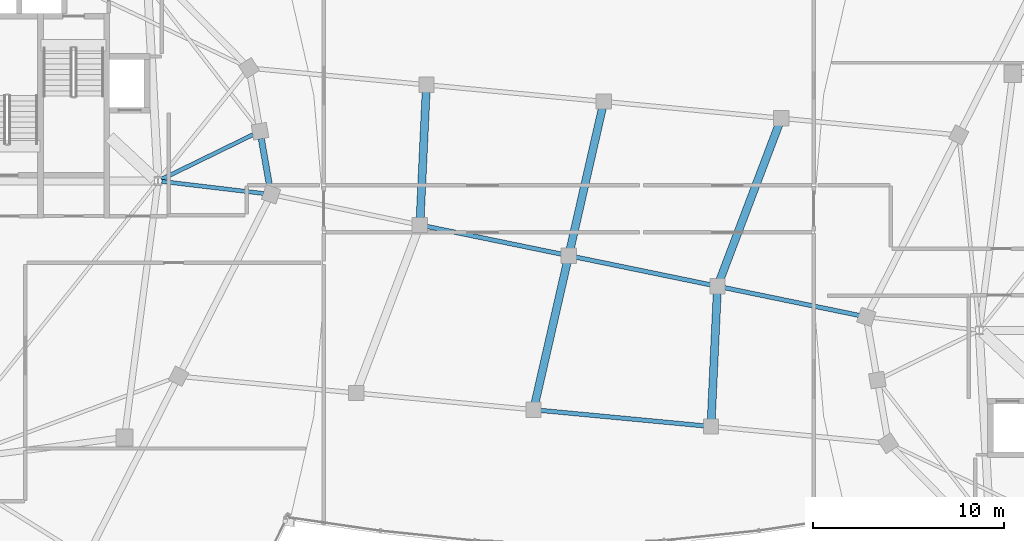
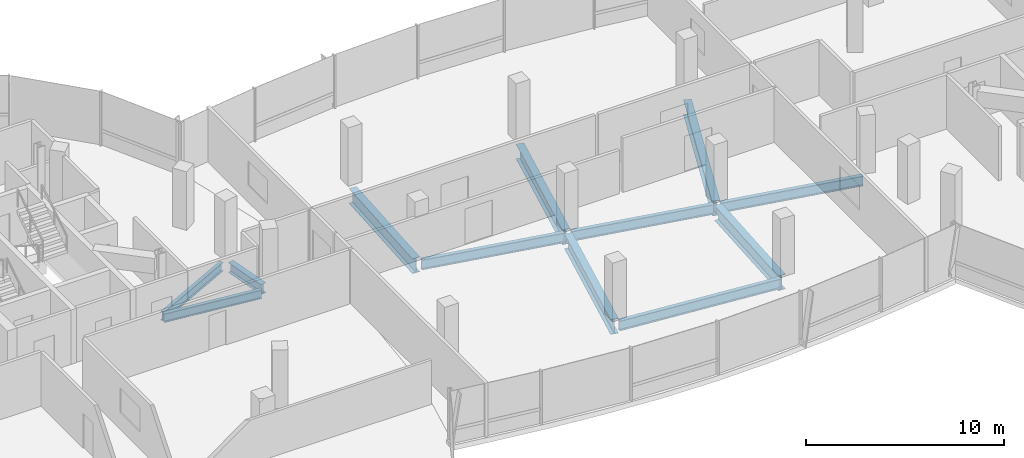
# One storey, part 5 of 25: 12 beams.
"""IFC4 building model written with IfcOpenShell, lengths in metres."""

import ifcopenshell
import ifcopenshell.guid

model = None  # the IFC model being written
_history = None  # IfcOwnerHistory: only IFC2X3 demands one
_inside = {}  # id of a spatial element -> (the spatial element, [elements in it])
_under = {}  # id of a project, library or spatial element -> (it, [spatial elements below it])
_declared = {}  # id of a project -> (the project, [libraries it declares])
_typed = {}  # id of a type object -> (the type object, [elements of that type])
_made_of = {}  # id of a material, layer set ... -> (it, [elements and type objects made of it])


def new_model(schema):
    """Start an empty IFC model of exactly this schema.

    Asked for "IFC4X3", IfcOpenShell would pick the latest addendum, in which some entities
    have other attributes; the version numbers below select the first issue.
    IFC2X3 requires an IfcOwnerHistory on every rooted entity: one is made here for all.
    """
    global model, _history
    if schema == "IFC4X3":
        model = ifcopenshell.file(schema_version=(4, 3, 0, 0))
    else:
        model = ifcopenshell.file(schema=schema)
    _inside.clear()
    _under.clear()
    _declared.clear()
    _typed.clear()
    _made_of.clear()
    _history = None
    if model.schema == "IFC2X3":
        org = make("IfcOrganization", Name="unknown")
        user = make(
            "IfcPersonAndOrganization",
            ThePerson=make("IfcPerson", FamilyName="unknown"),
            TheOrganization=org,
        )
        app = make(
            "IfcApplication",
            ApplicationDeveloper=org,
            Version="unknown",
            ApplicationFullName="unknown",
            ApplicationIdentifier="unknown",
        )
        _history = make(
            "IfcOwnerHistory",
            OwningUser=user,
            OwningApplication=app,
            ChangeAction="ADDED",
            CreationDate=0,
        )
    return model


def make(cls, **values):
    """One entity of the class cls with the attributes given. An attribute that is None is left unset."""
    return model.create_entity(
        cls, **{name: value for name, value in values.items() if value is not None}
    )


def rooted(cls, **values):
    """An entity with a GlobalId (a new one), such as an element, a storey or a relation."""
    return make(cls, GlobalId=ifcopenshell.guid.new(), OwnerHistory=_history, **values)


def si_unit(unit_type, name, prefix=None):
    """IfcSIUnit, for example si_unit("LENGTHUNIT", "METRE", prefix="MILLI")."""
    return make("IfcSIUnit", UnitType=unit_type, Prefix=prefix, Name=name)


def assignment(units):
    """IfcUnitAssignment: the units of a project."""
    return None if units is None else make("IfcUnitAssignment", Units=units)


def point(xyz):
    """IfcCartesianPoint."""
    return None if xyz is None else make("IfcCartesianPoint", Coordinates=xyz)


def direction(xyz):
    """IfcDirection."""
    return None if xyz is None else make("IfcDirection", DirectionRatios=xyz)


def frame(location, z_axis=None, x_axis=None):
    """IfcAxis2Placement3D, a coordinate frame: its origin and axes. An axis left out is left unset."""
    return make(
        "IfcAxis2Placement3D",
        Location=point(location),
        Axis=direction(z_axis),
        RefDirection=direction(x_axis),
    )


def frame_2d(location, x_axis=None):
    """IfcAxis2Placement2D, a coordinate frame in the plane: its origin and x axis."""
    return make(
        "IfcAxis2Placement2D", Location=point(location), RefDirection=direction(x_axis)
    )


def origin():
    """The frame at (0, 0, 0) with its axes left unset."""
    return frame((0.0, 0.0, 0.0))


def origin_2d():
    """The frame at (0, 0) in the plane with its x axis left unset."""
    return frame_2d((0.0, 0.0))


def place(relative_to, where):
    """IfcLocalPlacement: puts the frame where relative to a parent placement (None: the world)."""
    return make(
        "IfcLocalPlacement", PlacementRelTo=relative_to, RelativePlacement=where
    )


def context(
    kind, dimensions, precision=None, world=None, true_north=None, identifier=None
):
    """IfcGeometricRepresentationContext, for example the 3D "Model" context."""
    return make(
        "IfcGeometricRepresentationContext",
        ContextIdentifier=identifier,
        ContextType=kind,
        CoordinateSpaceDimension=dimensions,
        Precision=precision,
        WorldCoordinateSystem=world,
        TrueNorth=true_north,
    )


def subcontext(parent, identifier, kind, view, scale=None):
    """IfcGeometricRepresentationSubContext, for example "Body" below "Model"."""
    return make(
        "IfcGeometricRepresentationSubContext",
        ContextIdentifier=identifier,
        ContextType=kind,
        ParentContext=parent,
        TargetScale=scale,
        TargetView=view,
    )


def project(units=None, contexts=None):
    """IfcProject with its units and contexts."""
    return rooted(
        "IfcProject",
        Name="project",
        RepresentationContexts=contexts,
        UnitsInContext=assignment(units),
    )


def spatial(cls, under=None, at=None, **own):
    """A site, building, storey or space (cls), placed at a placement, below another one or the project."""
    s = rooted(cls, ObjectPlacement=at, **own)
    if under is not None:
        _under.setdefault(under.id(), (under, []))[1].append(s)
    return s


def profile(cls, at=None, kind="AREA", **sizes):
    """A parametric profile (cls). Its sizes go by their IFC names, for example OverallWidth=200.0."""
    return make(cls, ProfileType=kind, Position=at, **sizes)


def i_section(**sizes):
    """IfcIShapeProfileDef."""
    return profile("IfcIShapeProfileDef", **sizes)


def extrude(swept, where, along, depth):
    """IfcExtrudedAreaSolid: the profile swept, set in the frame where, extruded along a direction by depth."""
    return make(
        "IfcExtrudedAreaSolid",
        SweptArea=swept,
        Position=where,
        ExtrudedDirection=direction(along),
        Depth=depth,
    )


def shape(context_of_items, identifier, shape_type, items):
    """IfcShapeRepresentation: the items that make up one representation, for example the "Body"."""
    return make(
        "IfcShapeRepresentation",
        ContextOfItems=context_of_items,
        RepresentationIdentifier=identifier,
        RepresentationType=shape_type,
        Items=items,
    )


def material(Name=None, Category=None):
    """IfcMaterial."""
    return make("IfcMaterial", Name=Name, Category=Category)


def material_profile(
    of_material, cross_section, Name=None, Category=None, Priority=None
):
    """IfcMaterialProfile: a cross section and its material."""
    return make(
        "IfcMaterialProfile",
        Name=Name,
        Material=of_material,
        Profile=cross_section,
        Priority=Priority,
        Category=Category,
    )


def profile_set(profiles, Name=None, composite=None):
    """IfcMaterialProfileSet."""
    return make(
        "IfcMaterialProfileSet",
        Name=Name,
        MaterialProfiles=profiles,
        CompositeProfile=composite,
    )


def made_of(thing, what):
    """Note that an element or type object is made of a material, layer set ...; save() writes the relation."""
    if what is not None:
        _made_of.setdefault(what.id(), (what, []))[1].append(thing)
    return thing


def type_object(cls, material=None, **own):
    """A type object (cls), such as IfcWallType, which elements share."""
    return made_of(rooted(cls, **own), material)


def element(
    cls,
    number,
    at=None,
    inside=None,
    cuts=None,
    type_object=None,
    material=None,
    context=None,
    identifier="Body",
    shape_type=None,
    held_by="IfcProductDefinitionShape",
    body=None,
    shapes=None,
    **own,
):
    """One element of the class cls, such as IfcWall. Its Tag is "e" and its number.

    at: its placement. inside: the storey or other place that contains it. cuts: it is an
    opening in that element (IfcRelVoidsElement). A single representation is given by context,
    identifier, shape_type and body (its items); several are given by shapes. held_by: the class
    of the entity that holds the representations. save() writes the other relations.
    """
    e = rooted(cls, Tag="e%d" % number, ObjectPlacement=at, **own)
    if body is not None:
        shapes = [shape(context, identifier, shape_type, body)]
    if shapes is not None:
        e.Representation = make(held_by, Representations=shapes)
    if inside is not None:
        _inside.setdefault(inside.id(), (inside, []))[1].append(e)
    if cuts is not None:
        rooted(
            "IfcRelVoidsElement", RelatingBuildingElement=cuts, RelatedOpeningElement=e
        )
    if type_object is not None:
        _typed.setdefault(type_object.id(), (type_object, []))[1].append(e)
    return made_of(e, material)


def aggregate(whole, parts):
    """IfcRelAggregates: a whole, such as a stair, and the parts it consists of."""
    return rooted("IfcRelAggregates", RelatingObject=whole, RelatedObjects=parts)


def save(model, path):
    """Write the relations noted so far, then the file.

    IfcRelAggregates (storeys below a building ...), IfcRelContainedInSpatialStructure (elements
    in a storey), IfcRelDefinesByType, IfcRelAssociatesMaterial and IfcRelDeclares: one each for
    every whole, place, type object, material and project.
    """
    for whole, parts in _under.values():
        aggregate(whole, parts)
    for where, things in _inside.values():
        rooted(
            "IfcRelContainedInSpatialStructure",
            RelatedElements=things,
            RelatingStructure=where,
        )
    for kind, things in _typed.values():
        rooted("IfcRelDefinesByType", RelatedObjects=things, RelatingType=kind)
    for what, things in _made_of.values():
        rooted("IfcRelAssociatesMaterial", RelatedObjects=things, RelatingMaterial=what)
    for by, libraries in _declared.values():
        rooted("IfcRelDeclares", RelatingContext=by, RelatedDefinitions=libraries)
    model.write(path)


model = new_model("IFC4")

# Units and contexts
model_context = context("Model", 3, precision=1e-05, world=origin(), true_north=direction((0.0, 1.0)))
body_context = subcontext(model_context, "Body", "Model", "MODEL_VIEW")
ifc_project = project(units=[si_unit("LENGTHUNIT", "METRE"), si_unit("AREAUNIT", "SQUARE_METRE"), si_unit("VOLUMEUNIT", "CUBIC_METRE"), si_unit("PLANEANGLEUNIT", "RADIAN"), si_unit("MASSUNIT", "GRAM", prefix="KILO"), si_unit("THERMODYNAMICTEMPERATUREUNIT", "KELVIN"), si_unit("POWERUNIT", "WATT")], contexts=[model_context])

# Site, building, storey
site_placement = place(None, origin())
site = spatial("IfcSite", under=ifc_project, at=site_placement, CompositionType="ELEMENT")
building_placement = place(site_placement, origin())
building = spatial("IfcBuilding", under=site, at=building_placement, Name="Cundina Bronze Exchange", CompositionType="ELEMENT")
storey_placement = place(building_placement, frame((0.0, 0.0, 257.60009765625)))
storey = spatial("IfcBuildingStorey", under=building, at=storey_placement, Name="L68", CompositionType="ELEMENT", Elevation=257.60009765625)

# Beams
ifc_material = material(Name="Steel ASTM A992 Grade 50", Category="steel")
ifc_material_profile_1 = material_profile(ifc_material, i_section(OverallWidth=0.2119140625, OverallDepth=0.5439453125, WebThickness=0.01318359375, FlangeThickness=0.021240234375, FilletRadius=0.013916015625, at=origin_2d()), Name="W21X83", Category="steel")
ifc_profile_set_1 = profile_set([ifc_material_profile_1], Name="Steel ASTM A992 Grade 50")
beam_type_1 = type_object("IfcBeamType", Name="BM-FLR-W21A", PredefinedType="BEAM", material=ifc_profile_set_1)
beam_1_placement = place(storey_placement, frame((-21.25537109375, 3.876953125, -0.531982421875), z_axis=(0.993031892142, -0.117845921393, 0.0), x_axis=(0.117845921393, 0.993031892142, 0.0)))
element("IfcBeam", 1, at=beam_1_placement, inside=storey, type_object=beam_type_1, Name="L68 Leg W Radial Floor Beam 00", PredefinedType="BEAM", context=body_context, shape_type="SweptSolid", body=[
    extrude(i_section(OverallWidth=0.2119140625, OverallDepth=0.5439453125, WebThickness=0.01318359375, FlangeThickness=0.021240234375, FilletRadius=0.013916015625, at=origin_2d()), origin(), (0.0, 0.0, 1.0), 5.357421875),
])
beam_2_placement = place(storey_placement, frame((-21.27392578125, 3.986083984375, -0.531982421875), z_axis=(0.898610260891, 0.438747762412, 0.0), x_axis=(-0.438747762412, 0.898610260891, 0.0)))
element("IfcBeam", 2, at=beam_2_placement, inside=storey, type_object=beam_type_1, Name="L68 Leg W Radial Floor Beam 01", PredefinedType="BEAM", context=body_context, shape_type="SweptSolid", body=[
    extrude(i_section(OverallWidth=0.2119140625, OverallDepth=0.5439453125, WebThickness=0.01318359375, FlangeThickness=0.021240234375, FilletRadius=0.013916015625, at=origin_2d()), origin(), (0.0, 0.0, 1.0), 5.341796875),
])
ifc_material_profile_2 = material_profile(ifc_material, i_section(OverallWidth=0.22998046875, OverallDepth=0.616943359375, WebThickness=0.01318359375, FlangeThickness=0.022216796875, FilletRadius=0.013916015625, at=origin_2d()), Name="W24X94", Category="steel")
ifc_profile_set_2 = profile_set([ifc_material_profile_2], Name="Steel ASTM A992 Grade 50")
beam_type_2 = type_object("IfcBeamType", Name="BM-FLR-W24B", PredefinedType="BEAM", material=ifc_profile_set_2)
beam_3_placement = place(storey_placement, frame((-1.658203125, -8.06689453125, -0.628662109375), z_axis=(0.995572136276, -0.094000646124, 0.0), x_axis=(0.094000646124, 0.995572136276, 0.0)))
element("IfcBeam", 3, at=beam_3_placement, inside=storey, type_object=beam_type_2, Name="L68 Sky-Gate Longitudinal Girder Y1-P3", PredefinedType="BEAM", context=body_context, shape_type="SweptSolid", body=[
    extrude(i_section(OverallWidth=0.22998046875, OverallDepth=0.616943359375, WebThickness=0.01318359375, FlangeThickness=0.022216796875, FilletRadius=0.013916015625, at=origin_2d()), origin(), (0.0, 0.0, 1.0), 8.949951171875),
])
for number, where, z_axis, x_axis, name in (
    (4, (-7.5986328125, 1.563720703125, -0.628662109375), (0.979477625294, -0.201552924934, 0.0), (0.201552924934, 0.979477625294, 0.0), "L68 Sky-Gate Longitudinal Girder Y2-P2"),
    (5, (0.17626953125, -0.036376953125, -0.628662109375), (0.979477625294, -0.201552924934, 0.0), (0.201552924934, 0.979477625294, 0.0), "L68 Sky-Gate Longitudinal Girder Y2-P3"),
    (6, (7.951416015625, -1.63623046875, -0.628662109375), (0.979471264571, -0.20158383338, 0.0), (0.20158383338, 0.979471264571, 0.0), "L68 Sky-Gate Longitudinal Girder Y2-P4"),
):
    element("IfcBeam", number, at=place(storey_placement, frame(where, z_axis=z_axis, x_axis=x_axis)), inside=storey, type_object=beam_type_2, Name=name, PredefinedType="BEAM", context=body_context, shape_type="SweptSolid", body=[
        extrude(i_section(OverallWidth=0.22998046875, OverallDepth=0.616943359375, WebThickness=0.01318359375, FlangeThickness=0.022216796875, FilletRadius=0.013916015625, at=origin_2d()), origin(), (0.0, 0.0, 1.0), 7.577880859375),
    ])
ifc_material_profile_3 = material_profile(ifc_material, i_section(OverallWidth=0.324951171875, OverallDepth=0.615966796875, WebThickness=0.013916015625, FlangeThickness=0.021484375, FilletRadius=0.01611328125, at=origin_2d()), Name="W24X117", Category="steel")
ifc_profile_set_3 = profile_set([ifc_material_profile_3], Name="Steel ASTM A992 Grade 50")
beam_type_3 = type_object("IfcBeamType", Name="BM-RING-W24", PredefinedType="USERDEFINED", material=ifc_profile_set_3)
beam_4_placement = place(storey_placement, frame((-15.61669921875, 3.582275390625, -0.568115234375), z_axis=(-0.171593362587, 0.985167862811, 0.0), x_axis=(-0.985167862811, -0.171593362587, 0.0)))
element("IfcBeam", 7, at=beam_4_placement, inside=storey, type_object=beam_type_3, Name="L68 W Perimeter Ring Girder 00", ObjectType="GIRDER", PredefinedType="USERDEFINED", context=body_context, shape_type="SweptSolid", body=[
    extrude(i_section(OverallWidth=0.324951171875, OverallDepth=0.615966796875, WebThickness=0.013916015625, FlangeThickness=0.021484375, FilletRadius=0.01611328125, at=origin_2d()), origin(), (0.0, 0.0, 1.0), 2.57373046875),
])
ifc_material_profile_4 = material_profile(ifc_material, i_section(OverallWidth=0.41796875, OverallDepth=0.927001953125, WebThickness=0.019287109375, FlangeThickness=0.031982421875, FilletRadius=0.02392578125, at=origin_2d()), Name="W36X231", Category="steel")
ifc_profile_set_4 = profile_set([ifc_material_profile_4], Name="Steel ASTM A992 Grade 50")
beam_type_4 = type_object("IfcBeamType", Name="BM-WRN-W36B", PredefinedType="USERDEFINED", material=ifc_profile_set_4)
beam_5_placement = place(storey_placement, frame((-7.7666015625, 1.77978515625, -0.78369140625), z_axis=(0.046881448177, 0.998900460415, 0.0), x_axis=(-0.998900460415, 0.046881448177, 0.0)))
element("IfcBeam", 8, at=beam_5_placement, inside=storey, type_object=beam_type_4, Name="L68 Sky-Gate Transverse Girder X1-N", ObjectType="GIRDER", PredefinedType="USERDEFINED", context=body_context, shape_type="SweptSolid", body=[
    extrude(i_section(OverallWidth=0.41796875, OverallDepth=0.927001953125, WebThickness=0.019287109375, FlangeThickness=0.031982421875, FilletRadius=0.02392578125, at=origin_2d()), origin(), (0.0, 0.0, 1.0), 6.972900390625),
])
for number, where, z_axis, x_axis, name in (
    (9, (-1.79736328125, -7.87451171875, -0.78369140625), (0.222530984599, 0.974925618134, 0.0), (-0.974925618134, 0.222530984599, 0.0), "L68 Sky-Gate Transverse Girder X2-S"),
    (10, (0.0400390625, 0.175537109375, -0.78369140625), (0.222530984599, 0.974925618134, 0.0), (-0.974925618134, 0.222530984599, 0.0), "L68 Sky-Gate Transverse Girder X2-N"),
):
    element("IfcBeam", number, at=place(storey_placement, frame(where, z_axis=z_axis, x_axis=x_axis)), inside=storey, type_object=beam_type_4, Name=name, ObjectType="GIRDER", PredefinedType="USERDEFINED", context=body_context, shape_type="SweptSolid", body=[
        extrude(i_section(OverallWidth=0.41796875, OverallDepth=0.927001953125, WebThickness=0.019287109375, FlangeThickness=0.031982421875, FilletRadius=0.02392578125, at=origin_2d()), origin(), (0.0, 0.0, 1.0), 7.89697265625),
    ])
beam_6_placement = place(storey_placement, frame((7.439697265625, -8.7451171875, -0.78369140625), z_axis=(0.046881448177, 0.998900460415, 0.0), x_axis=(-0.998900460415, 0.046881448177, 0.0)))
element("IfcBeam", 11, at=beam_6_placement, inside=storey, type_object=beam_type_4, Name="L68 Sky-Gate Transverse Girder X3-S", ObjectType="GIRDER", PredefinedType="USERDEFINED", context=body_context, shape_type="SweptSolid", body=[
    extrude(i_section(OverallWidth=0.41796875, OverallDepth=0.927001953125, WebThickness=0.019287109375, FlangeThickness=0.031982421875, FilletRadius=0.02392578125, at=origin_2d()), origin(), (0.0, 0.0, 1.0), 6.972900390625),
])
beam_7_placement = place(storey_placement, frame((7.8388671875, -1.431640625, -0.78369140625), z_axis=(0.354935532146, 0.934890778658, 0.0), x_axis=(-0.934890778658, 0.354935532146, 0.0)))
element("IfcBeam", 12, at=beam_7_placement, inside=storey, type_object=beam_type_4, Name="L68 Sky-Gate Transverse Girder X3-N", ObjectType="GIRDER", PredefinedType="USERDEFINED", context=body_context, shape_type="SweptSolid", body=[
    extrude(i_section(OverallWidth=0.41796875, OverallDepth=0.927001953125, WebThickness=0.019287109375, FlangeThickness=0.031982421875, FilletRadius=0.02392578125, at=origin_2d()), origin(), (0.0, 0.0, 1.0), 9.02587890625),
])

save(model, "model.ifc")
